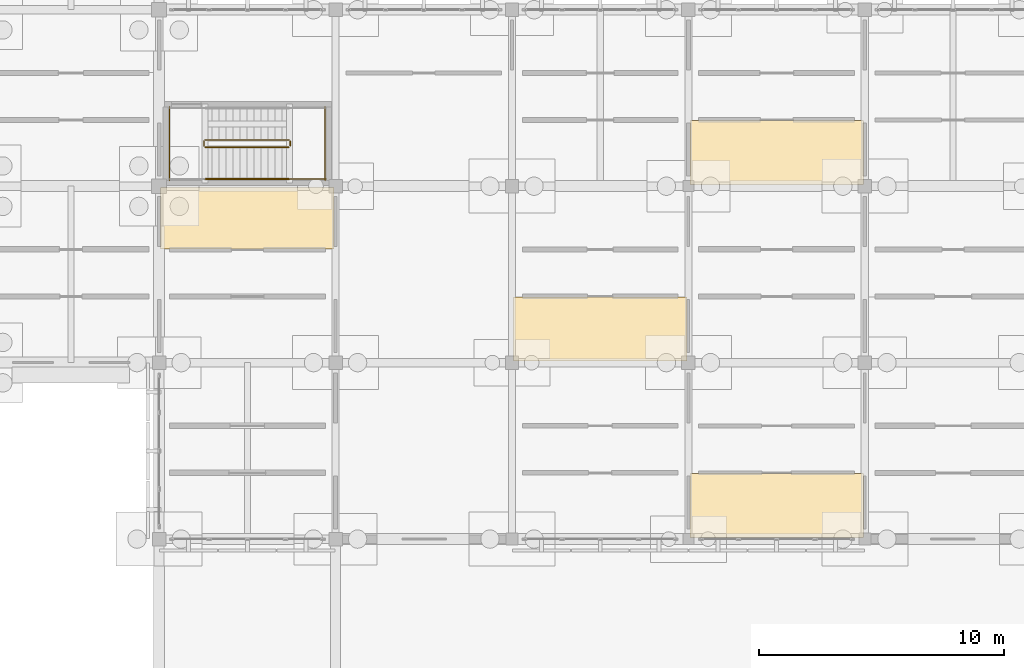
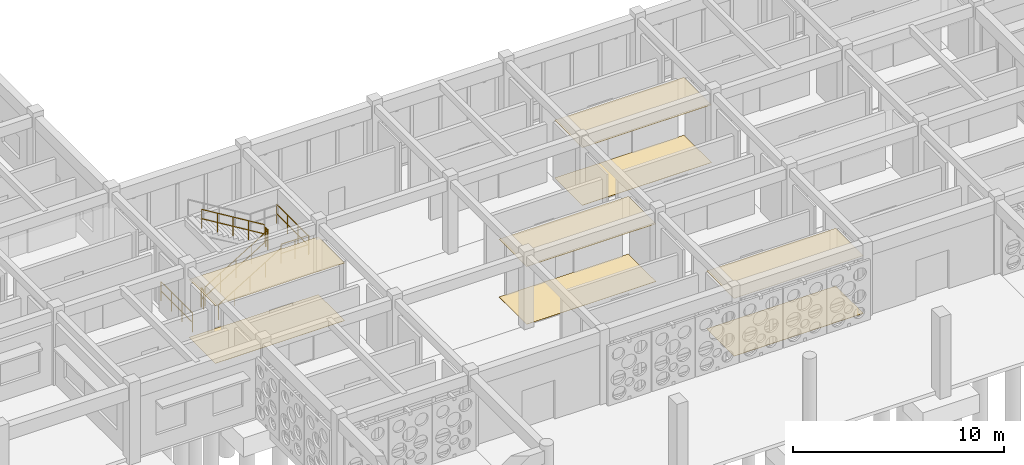
# One storey, part 99 of 111: 8 coverings, 8 railings.
"""IFC4 building model written with IfcOpenShell, lengths in metres."""

from ifc_helpers import new_model, si_unit, direction, frame, origin, origin_2d, place, context, subcontext, project, spatial, polyline, circle, outline, extrude, material, layer, layer_set, type_object, element, save


model = new_model("IFC4")

# Units and contexts
model_context = context("Model", 3, precision=1e-05, world=origin(), true_north=direction((0.0, 1.0)))
body_context = subcontext(model_context, "Body", "Model", "MODEL_VIEW")
ifc_project = project(units=[si_unit("LENGTHUNIT", "METRE"), si_unit("AREAUNIT", "SQUARE_METRE"), si_unit("VOLUMEUNIT", "CUBIC_METRE"), si_unit("PLANEANGLEUNIT", "RADIAN"), si_unit("MASSUNIT", "GRAM", prefix="KILO")], contexts=[model_context])

# Site, building, storey
site_placement = place(None, origin())
site = spatial("IfcSite", under=ifc_project, at=site_placement, CompositionType="ELEMENT")
building_placement = place(site_placement, origin())
building = spatial("IfcBuilding", under=site, at=building_placement, Name="Aldebral Square Health Centre", CompositionType="ELEMENT")
storey_placement = place(building_placement, origin())
storey = spatial("IfcBuildingStorey", under=building, at=storey_placement, Name="L00", CompositionType="ELEMENT", Elevation=0.0)

# Coverings
ifc_material_1 = material(Name="Hygienic acoustic mineral ceiling tile")
ifc_layer_1 = layer(ifc_material_1, 0.02001953125, Name="Hygienic acoustic mineral ceiling tile")
ifc_layer_set_1 = layer_set([ifc_layer_1], Name="Hygienic acoustic mineral ceiling tile")
covering_type_1 = type_object("IfcCoveringType", Name="COV-CLG-AC", PredefinedType="CEILING", material=ifc_layer_set_1)
covering_1_placement = place(storey_placement, frame((0.0, 0.0, 3.340087890625)))
element("IfcCovering", 1, at=covering_1_placement, inside=storey, type_object=covering_type_1, Name="L00 Pharmacy Controlled Store 10.13N acoustic ceiling", PredefinedType="CEILING", context=body_context, shape_type="SweptSolid", body=[
    extrude(outline(polyline([(64.860107421875, 91.0400390625), (71.93994140625, 91.0400390625), (71.93994140625, 93.5400390625), (64.860107421875, 93.5400390625), (64.860107421875, 91.0400390625)])), origin(), (0.0, 0.0, 1.0), 0.02001953125),
])
covering_2_placement = place(storey_placement, frame((0.0, 0.0, 3.340087890625)))
element("IfcCovering", 2, at=covering_2_placement, inside=storey, type_object=covering_type_1, Name="L00 Accessible WC 12.13S acoustic ceiling", PredefinedType="CEILING", context=body_context, shape_type="SweptSolid", body=[
    extrude(outline(polyline([(79.260009765625, 86.4599609375), (86.340087890625, 86.4599609375), (86.340087890625, 89.080078125), (79.260009765625, 89.080078125), (79.260009765625, 86.4599609375)])), origin(), (0.0, 0.0, 1.0), 0.02001953125),
])
covering_3_placement = place(storey_placement, frame((0.0, 0.0, 3.340087890625)))
element("IfcCovering", 3, at=covering_3_placement, inside=storey, type_object=covering_type_1, Name="L00 Pharmacy Dispensary 13.12S acoustic ceiling", PredefinedType="CEILING", context=body_context, shape_type="SweptSolid", body=[
    extrude(outline(polyline([(86.4599609375, 79.260009765625), (93.5400390625, 79.260009765625), (93.5400390625, 81.8798828125), (86.4599609375, 81.8798828125), (86.4599609375, 79.260009765625)])), origin(), (0.0, 0.0, 1.0), 0.02001953125),
])
covering_4_placement = place(storey_placement, frame((0.0, 0.0, 3.340087890625)))
element("IfcCovering", 4, at=covering_4_placement, inside=storey, type_object=covering_type_1, Name="L00 Health Shop 13.14S acoustic ceiling", PredefinedType="CEILING", context=body_context, shape_type="SweptSolid", body=[
    extrude(outline(polyline([(86.4599609375, 93.659912109375), (93.5400390625, 93.659912109375), (93.5400390625, 96.280029296875), (86.4599609375, 96.280029296875), (86.4599609375, 93.659912109375)])), origin(), (0.0, 0.0, 1.0), 0.02001953125),
])
ifc_material_2 = material(Name="Antimicrobial clinical vinyl flooring")
ifc_layer_2 = layer(ifc_material_2, 0.014892578125, Name="Antimicrobial clinical vinyl flooring")
ifc_layer_set_2 = layer_set([ifc_layer_2], Name="Antimicrobial clinical vinyl flooring")
covering_type_2 = type_object("IfcCoveringType", Name="COV-FLR-VN", PredefinedType="FLOORING", material=ifc_layer_set_2)
covering_5_placement = place(storey_placement, origin())
element("IfcCovering", 5, at=covering_5_placement, inside=storey, type_object=covering_type_2, Name="L00 Pharmacy Controlled Store 10.13N clinical flooring", PredefinedType="FLOORING", context=body_context, shape_type="SweptSolid", body=[
    extrude(outline(polyline([(64.860107421875, 91.0400390625), (71.93994140625, 91.0400390625), (71.93994140625, 93.5400390625), (64.860107421875, 93.5400390625), (64.860107421875, 91.0400390625)])), origin(), (0.0, 0.0, 1.0), 0.014892578125),
])
covering_6_placement = place(storey_placement, origin())
element("IfcCovering", 6, at=covering_6_placement, inside=storey, type_object=covering_type_2, Name="L00 Accessible WC 12.13S clinical flooring", PredefinedType="FLOORING", context=body_context, shape_type="SweptSolid", body=[
    extrude(outline(polyline([(79.260009765625, 86.4599609375), (86.340087890625, 86.4599609375), (86.340087890625, 89.080078125), (79.260009765625, 89.080078125), (79.260009765625, 86.4599609375)])), origin(), (0.0, 0.0, 1.0), 0.014892578125),
])
covering_7_placement = place(storey_placement, origin())
element("IfcCovering", 7, at=covering_7_placement, inside=storey, type_object=covering_type_2, Name="L00 Pharmacy Dispensary 13.12S clinical flooring", PredefinedType="FLOORING", context=body_context, shape_type="SweptSolid", body=[
    extrude(outline(polyline([(86.4599609375, 79.260009765625), (93.5400390625, 79.260009765625), (93.5400390625, 81.8798828125), (86.4599609375, 81.8798828125), (86.4599609375, 79.260009765625)])), origin(), (0.0, 0.0, 1.0), 0.014892578125),
])
covering_8_placement = place(storey_placement, origin())
element("IfcCovering", 8, at=covering_8_placement, inside=storey, type_object=covering_type_2, Name="L00 Health Shop 13.14S clinical flooring", PredefinedType="FLOORING", context=body_context, shape_type="SweptSolid", body=[
    extrude(outline(polyline([(86.4599609375, 93.659912109375), (93.5400390625, 93.659912109375), (93.5400390625, 96.280029296875), (86.4599609375, 96.280029296875), (86.4599609375, 93.659912109375)])), origin(), (0.0, 0.0, 1.0), 0.014892578125),
])

# Railings
ifc_material_3 = material(Name="Painted steel S355JR stair guard", Category="steel")
railing_type_1 = type_object("IfcRailingType", Name="RL-ST-GRD", PredefinedType="GUARDRAIL", material=ifc_material_3)
railing_1_placement = place(storey_placement, frame((66.679931640625, 95.18994140625, 0.173095703125)))
element("IfcRailing", 9, at=railing_1_placement, inside=storey, type_object=railing_type_1, Name="L00 ST-07 stair guard 1", PredefinedType="GUARDRAIL", context=body_context, shape_type="SweptSolid", body=[
    extrude(circle(Radius=0.02392578125, at=origin_2d()), frame((0.0, 0.0, 1.09619140625), z_axis=(0.854745945586, 0.0, 0.519046595696), x_axis=(0.0, 1.0, 0.0)), (0.0, 0.0, 1.0), 4.00146484375),
    extrude(circle(Radius=0.02392578125, at=origin_2d()), frame((0.0, 0.0, 0.56005859375), z_axis=(0.854745945586, 0.0, 0.519046595696), x_axis=(0.0, 1.0, 0.0)), (0.0, 0.0, 1.0), 4.00146484375),
    extrude(circle(Radius=0.02099609375, at=origin_2d()), origin(), (0.0, 0.0, 1.0), 1.072021484375),
    extrude(circle(Radius=0.02099609375, at=origin_2d()), frame((0.85498046875, 0.0, 0.519287109375)), (0.0, 0.0, 1.0), 1.072021484375),
    extrude(circle(Radius=0.02099609375, at=origin_2d()), frame((1.7099609375, 0.0, 1.03857421875)), (0.0, 0.0, 1.0), 1.072021484375),
    extrude(circle(Radius=0.02099609375, at=origin_2d()), frame((2.565185546875, 0.0, 1.5576171875)), (0.0, 0.0, 1.0), 1.072021484375),
    extrude(circle(Radius=0.02099609375, at=origin_2d()), frame((3.420166015625, 0.0, 2.076904296875)), (0.0, 0.0, 1.0), 1.072021484375),
])
railing_2_placement = place(storey_placement, frame((70.14990234375, 95.239990234375, 2.25)))
element("IfcRailing", 10, at=railing_2_placement, inside=storey, type_object=railing_type_1, Name="L00 ST-07 stair guard 2", PredefinedType="GUARDRAIL", context=body_context, shape_type="SweptSolid", body=[
    extrude(circle(Radius=0.02392578125, at=origin_2d()), frame((0.0, 0.0, 1.09619140625), z_axis=(0.0, 1.0, 0.0), x_axis=(-1.0, 0.0, 0.0)), (0.0, 0.0, 1.0), 0.199951171875),
    extrude(circle(Radius=0.02392578125, at=origin_2d()), frame((0.0, 0.0, 0.56005859375), z_axis=(0.0, 1.0, 0.0), x_axis=(-1.0, 0.0, 0.0)), (0.0, 0.0, 1.0), 0.199951171875),
    extrude(circle(Radius=0.02099609375, at=origin_2d()), origin(), (0.0, 0.0, 1.0), 1.072021484375),
    extrude(circle(Radius=0.02099609375, at=origin_2d()), frame((0.0, 0.199951171875, 0.0)), (0.0, 0.0, 1.0), 1.072021484375),
])
railing_3_placement = place(storey_placement, frame((70.10009765625, 93.889892578125, 2.25)))
element("IfcRailing", 11, at=railing_3_placement, inside=storey, type_object=railing_type_1, Name="L00 ST-07 stair guard 3", PredefinedType="GUARDRAIL", context=body_context, shape_type="SweptSolid", body=[
    extrude(circle(Radius=0.02392578125, at=origin_2d()), frame((0.0, 0.0, 1.09619140625), z_axis=(1.0, 0.0, 0.0), x_axis=(0.0, 1.0, 0.0)), (0.0, 0.0, 1.0), 1.52001953125),
    extrude(circle(Radius=0.02392578125, at=origin_2d()), frame((0.0, 0.0, 0.56005859375), z_axis=(1.0, 0.0, 0.0), x_axis=(0.0, 1.0, 0.0)), (0.0, 0.0, 1.0), 1.52001953125),
    extrude(circle(Radius=0.02099609375, at=origin_2d()), origin(), (0.0, 0.0, 1.0), 1.072021484375),
    extrude(circle(Radius=0.02099609375, at=origin_2d()), frame((0.760009765625, 0.0, 0.0)), (0.0, 0.0, 1.0), 1.072021484375),
    extrude(circle(Radius=0.02099609375, at=origin_2d()), frame((1.52001953125, 0.0, 0.0)), (0.0, 0.0, 1.0), 1.072021484375),
])
railing_4_placement = place(storey_placement, frame((71.570068359375, 93.840087890625, 2.25)))
element("IfcRailing", 12, at=railing_4_placement, inside=storey, type_object=railing_type_1, Name="L00 ST-07 stair guard 5", PredefinedType="GUARDRAIL", context=body_context, shape_type="SweptSolid", body=[
    extrude(circle(Radius=0.02392578125, at=origin_2d()), frame((0.0, 0.0, 1.09619140625), z_axis=(0.0, 1.0, 0.0), x_axis=(-1.0, 0.0, 0.0)), (0.0, 0.0, 1.0), 3.0),
    extrude(circle(Radius=0.02392578125, at=origin_2d()), frame((0.0, 0.0, 0.56005859375), z_axis=(0.0, 1.0, 0.0), x_axis=(-1.0, 0.0, 0.0)), (0.0, 0.0, 1.0), 3.0),
    extrude(circle(Radius=0.02099609375, at=origin_2d()), origin(), (0.0, 0.0, 1.0), 1.072021484375),
    extrude(circle(Radius=0.02099609375, at=origin_2d()), frame((0.0, 1.0, 0.0)), (0.0, 0.0, 1.0), 1.072021484375),
    extrude(circle(Radius=0.02099609375, at=origin_2d()), frame((0.0, 2.0, 0.0)), (0.0, 0.0, 1.0), 1.072021484375),
    extrude(circle(Radius=0.02099609375, at=origin_2d()), frame((0.0, 3.0, 0.0)), (0.0, 0.0, 1.0), 1.072021484375),
])
railing_5_placement = place(storey_placement, frame((70.10009765625, 95.489990234375, 2.423095703125)))
element("IfcRailing", 13, at=railing_5_placement, inside=storey, type_object=railing_type_1, Name="L00 ST-07 stair guard 6", PredefinedType="GUARDRAIL", context=body_context, shape_type="SweptSolid", body=[
    extrude(circle(Radius=0.02392578125, at=origin_2d()), frame((0.0, 0.0, 1.09619140625), z_axis=(-0.854745945586, 0.0, 0.519046595696), x_axis=(0.0, -1.0, 0.0)), (0.0, 0.0, 1.0), 4.00146484375),
    extrude(circle(Radius=0.02392578125, at=origin_2d()), frame((0.0, 0.0, 0.56005859375), z_axis=(-0.854745945586, 0.0, 0.519046595696), x_axis=(0.0, -1.0, 0.0)), (0.0, 0.0, 1.0), 4.00146484375),
    extrude(circle(Radius=0.02099609375, at=origin_2d()), origin(), (0.0, 0.0, 1.0), 1.072021484375),
    extrude(circle(Radius=0.02099609375, at=origin_2d()), frame((-0.85498046875, 0.0, 0.519287109375)), (0.0, 0.0, 1.0), 1.072021484375),
    extrude(circle(Radius=0.02099609375, at=origin_2d()), frame((-1.7099609375, 0.0, 1.03857421875)), (0.0, 0.0, 1.0), 1.072021484375),
    extrude(circle(Radius=0.02099609375, at=origin_2d()), frame((-2.565185546875, 0.0, 1.5576171875)), (0.0, 0.0, 1.0), 1.072021484375),
    extrude(circle(Radius=0.02099609375, at=origin_2d()), frame((-3.420166015625, 0.0, 2.076904296875)), (0.0, 0.0, 1.0), 1.072021484375),
])
railing_6_placement = place(storey_placement, frame((66.6298828125, 95.239990234375, 0.0)))
element("IfcRailing", 14, at=railing_6_placement, inside=storey, type_object=railing_type_1, Name="L00 ST-07 stair guard 7", PredefinedType="GUARDRAIL", context=body_context, shape_type="SweptSolid", body=[
    extrude(circle(Radius=0.02392578125, at=origin_2d()), frame((0.0, 0.0, 1.09619140625), z_axis=(0.0, 1.0, 0.0), x_axis=(-1.0, 0.0, 0.0)), (0.0, 0.0, 1.0), 0.199951171875),
    extrude(circle(Radius=0.02392578125, at=origin_2d()), frame((0.0, 0.0, 0.56005859375), z_axis=(0.0, 1.0, 0.0), x_axis=(-1.0, 0.0, 0.0)), (0.0, 0.0, 1.0), 0.199951171875),
    extrude(circle(Radius=0.02099609375, at=origin_2d()), origin(), (0.0, 0.0, 1.0), 1.072021484375),
    extrude(circle(Radius=0.02099609375, at=origin_2d()), frame((0.0, 0.199951171875, 0.0)), (0.0, 0.0, 1.0), 1.072021484375),
])
railing_7_placement = place(storey_placement, frame((65.22998046875, 93.840087890625, 0.0)))
element("IfcRailing", 15, at=railing_7_placement, inside=storey, type_object=railing_type_1, Name="L00 ST-07 stair guard 10", PredefinedType="GUARDRAIL", context=body_context, shape_type="SweptSolid", body=[
    extrude(circle(Radius=0.02392578125, at=origin_2d()), frame((0.0, 0.0, 1.09619140625), z_axis=(0.0, 1.0, 0.0), x_axis=(-1.0, 0.0, 0.0)), (0.0, 0.0, 1.0), 3.0),
    extrude(circle(Radius=0.02392578125, at=origin_2d()), frame((0.0, 0.0, 0.56005859375), z_axis=(0.0, 1.0, 0.0), x_axis=(-1.0, 0.0, 0.0)), (0.0, 0.0, 1.0), 3.0),
    extrude(circle(Radius=0.02099609375, at=origin_2d()), origin(), (0.0, 0.0, 1.0), 1.072021484375),
    extrude(circle(Radius=0.02099609375, at=origin_2d()), frame((0.0, 1.0, 0.0)), (0.0, 0.0, 1.0), 1.072021484375),
    extrude(circle(Radius=0.02099609375, at=origin_2d()), frame((0.0, 2.0, 0.0)), (0.0, 0.0, 1.0), 1.072021484375),
    extrude(circle(Radius=0.02099609375, at=origin_2d()), frame((0.0, 3.0, 0.0)), (0.0, 0.0, 1.0), 1.072021484375),
])
ifc_material_4 = material(Name="Brushed stainless steel handrail", Category="steel")
railing_type_2 = type_object("IfcRailingType", Name="RL-ST-HND", PredefinedType="HANDRAIL", material=ifc_material_4)
railing_8_placement = place(storey_placement, frame((66.679931640625, 93.889892578125, 0.173095703125)))
element("IfcRailing", 16, at=railing_8_placement, inside=storey, type_object=railing_type_2, Name="L00 ST-07 stair handrail 1", PredefinedType="HANDRAIL", context=body_context, shape_type="SweptSolid", body=[
    extrude(circle(Radius=0.02392578125, at=origin_2d()), frame((0.0, 0.0, 0.8759765625), z_axis=(0.854745945586, 0.0, 0.519046595696), x_axis=(0.0, 1.0, 0.0)), (0.0, 0.0, 1.0), 4.00146484375),
    extrude(circle(Radius=0.02099609375, at=origin_2d()), origin(), (0.0, 0.0, 1.0), 0.851806640625),
    extrude(circle(Radius=0.02099609375, at=origin_2d()), frame((0.85498046875, 0.0, 0.519287109375)), (0.0, 0.0, 1.0), 0.851806640625),
    extrude(circle(Radius=0.02099609375, at=origin_2d()), frame((1.7099609375, 0.0, 1.03857421875)), (0.0, 0.0, 1.0), 0.851806640625),
    extrude(circle(Radius=0.02099609375, at=origin_2d()), frame((2.565185546875, 0.0, 1.5576171875)), (0.0, 0.0, 1.0), 0.851806640625),
    extrude(circle(Radius=0.02099609375, at=origin_2d()), frame((3.420166015625, 0.0, 2.076904296875)), (0.0, 0.0, 1.0), 0.851806640625),
])

save(model, "model.ifc")
